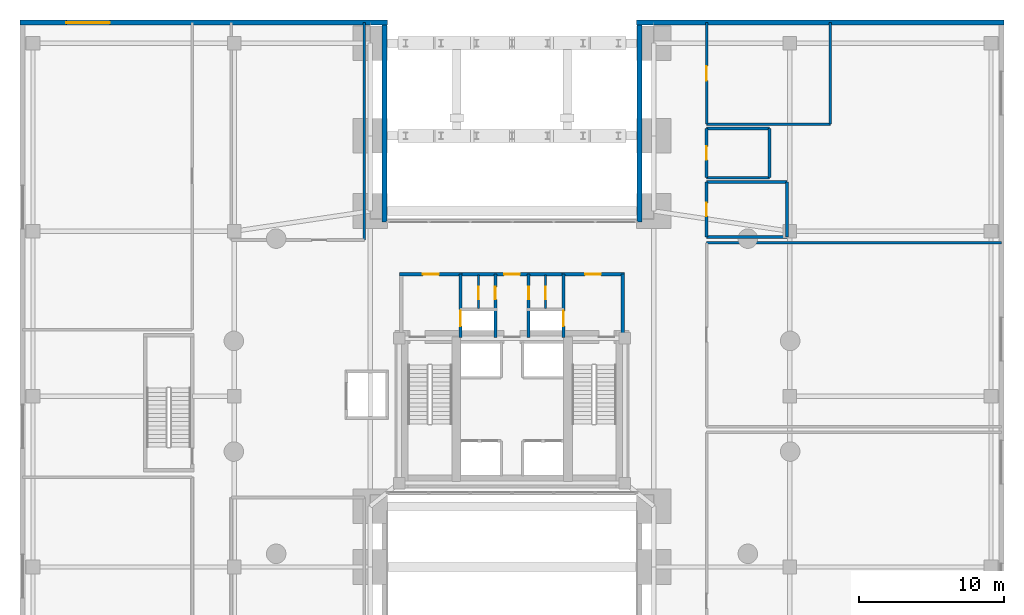
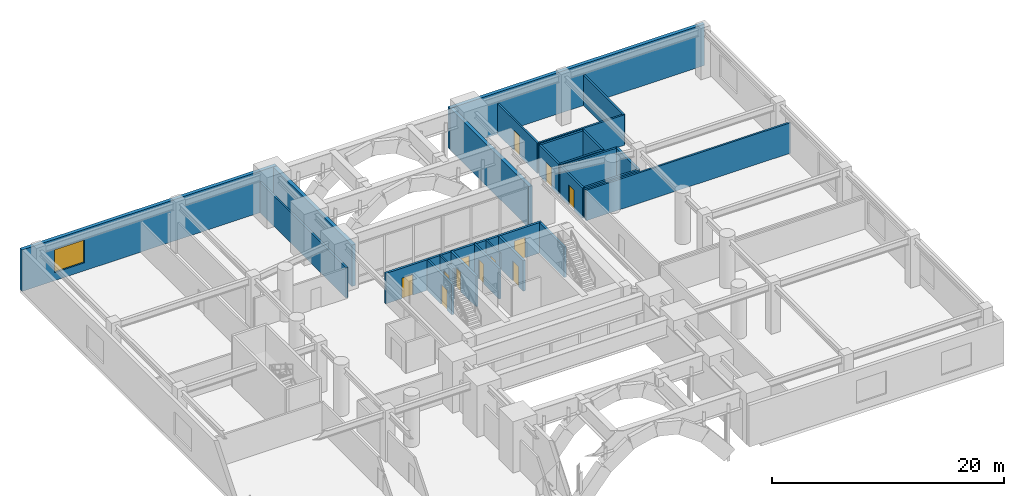
# One storey, part 15 of 18: 27 walls, 12 doors, 1 window, 13 openings.
"""IFC4 building model written with IfcOpenShell, lengths in metres."""

from ifc_helpers import new_model, si_unit, direction, frame, frame_2d, origin, place, context, subcontext, project, spatial, rectangle, extrude, material, layer, layer_set, type_object, element, fill, save


model = new_model("IFC4")

# Units and contexts
model_context = context("Model", 3, precision=1e-05, world=origin(), true_north=direction((0.0, 1.0)))
body_context = subcontext(model_context, "Body", "Model", "MODEL_VIEW")
ifc_project = project(units=[si_unit("LENGTHUNIT", "METRE"), si_unit("AREAUNIT", "SQUARE_METRE"), si_unit("VOLUMEUNIT", "CUBIC_METRE"), si_unit("PLANEANGLEUNIT", "RADIAN"), si_unit("MASSUNIT", "GRAM", prefix="KILO"), si_unit("THERMODYNAMICTEMPERATUREUNIT", "KELVIN"), si_unit("POWERUNIT", "WATT")], contexts=[model_context])

# Site, building, storey
site_placement = place(None, origin())
site = spatial("IfcSite", under=ifc_project, at=site_placement, CompositionType="ELEMENT")
building_placement = place(site_placement, origin())
building = spatial("IfcBuilding", under=site, at=building_placement, Name="Ocrelia Relay Tower", CompositionType="ELEMENT")
storey_placement = place(building_placement, frame((0.0, 0.0, 10.199951171875)))
storey = spatial("IfcBuildingStorey", under=building, at=storey_placement, Name="L02", CompositionType="ELEMENT", Elevation=10.199951171875)

# Walls
ifc_material_1 = material(Name="Gypsum Fireboard Partition EI60", Category="gypsum")
ifc_layer_1 = layer(ifc_material_1, 0.179931640625, Name="Gypsum Fireboard Partition EI60")
ifc_layer_set_1 = layer_set([ifc_layer_1], Name="Gypsum Fireboard Partition EI60")
wall_type_1 = type_object("IfcWallType", Name="W-CORR-EI60-180", PredefinedType="PARTITIONING", material=ifc_layer_set_1)
wall_1_placement = place(storey_placement, frame((23.800048828125, 36.800048828125, 0.0), z_axis=(0.0, 0.0, 1.0), x_axis=(0.0, 1.0, 0.0)))
element("IfcWall", 1, at=wall_1_placement, inside=storey, type_object=wall_type_1, Name="L02 North Telemetry Office E Partition", PredefinedType="PARTITIONING", context=body_context, shape_type="SweptSolid", body=[
    extrude(rectangle(XDim=15.02001953125, YDim=0.179931640625, at=frame_2d((7.510009765625, 0.0))), origin(), (0.0, 0.0, 1.0), 3.2099609375),
])
wall_2_placement = place(storey_placement, frame((67.820068359375, 36.60009765625, 0.0), z_axis=(0.0, 0.0, 1.0), x_axis=(-1.0, 0.0, 0.0)))
element("IfcWall", 2, at=wall_2_placement, inside=storey, type_object=wall_type_1, Name="L02 Executive Briefing Room N Partition", PredefinedType="PARTITIONING", context=body_context, shape_type="SweptSolid", body=[
    extrude(rectangle(XDim=20.3701171875, YDim=0.179931640625, at=frame_2d((10.18505859375, 0.0))), origin(), (0.0, 0.0, 1.0), 3.2099609375),
])

# Wall, opening, door
wall_3_placement = place(storey_placement, frame((47.449951171875, 51.820068359375, 0.0), z_axis=(0.0, 0.0, 1.0), x_axis=(0.0, -1.0, 0.0)))
wall_3 = element("IfcWall", 3, at=wall_3_placement, inside=storey, type_object=wall_type_1, Name="L02 Shift Staff Lounge W Partition", PredefinedType="PARTITIONING", context=body_context, shape_type="SweptSolid", body=[
    extrude(rectangle(XDim=7.02001953125, YDim=0.179931640625, at=frame_2d((3.510009765625, 0.0))), origin(), (0.0, 0.0, 1.0), 3.2099609375),
])
opening_1_placement = place(wall_3_placement, frame((3.010009765625, 0.0, 0.0)))
opening_1 = element("IfcOpeningElement", 4, at=opening_1_placement, cuts=wall_3, Name="Opening D-RM100", PredefinedType="OPENING", context=body_context, shape_type="SweptSolid", body=[
    extrude(rectangle(XDim=1.0, YDim=2.14990234375, at=frame_2d((0.5, 1.074951171875))), frame((0.0, 0.10009765625, 0.0), z_axis=(0.0, -1.0, 0.0), x_axis=(1.0, 0.0, 0.0)), (0.0, 0.0, 1.0), 0.199951171875),
])
ifc_material_2 = material(Name="Acoustic oak veneer fire door", Category="wood")
door_type_1 = type_object("IfcDoorType", Name="DR-ROOM-FD60-1000", OperationType="NOTDEFINED", PredefinedType="DOOR", material=ifc_material_2)
door_1_placement = place(opening_1_placement, origin())
door_1 = element("IfcDoor", 5, at=door_1_placement, inside=storey, type_object=door_type_1, Name="L02 Shift Staff Lounge Door", OperationType="SINGLE_SWING_LEFT", OverallHeight=2.14990234375, OverallWidth=1.0, PredefinedType="DOOR", context=body_context, shape_type="SweptSolid", body=[
    extrude(rectangle(XDim=1.0, YDim=2.14990234375, at=frame_2d((0.5, 1.074951171875))), frame((0.0, 0.02490234375, 0.0), z_axis=(0.0, -1.0, 0.0), x_axis=(1.0, 0.0, 0.0)), (0.0, 0.0, 1.0), 0.050048828125),
])
fill(opening_1, door_1)

# Walls
wall_4_placement = place(storey_placement, frame((47.449951171875, 44.800048828125, 0.0), z_axis=(0.0, 0.0, 1.0), x_axis=(1.0, 0.0, 0.0)))
element("IfcWall", 6, at=wall_4_placement, inside=storey, type_object=wall_type_1, Name="L02 Shift Staff Lounge S Partition", PredefinedType="PARTITIONING", context=body_context, shape_type="SweptSolid", body=[
    extrude(rectangle(XDim=8.550048828125, YDim=0.179931640625, at=frame_2d((4.27490234375, 0.0))), origin(), (0.0, 0.0, 1.0), 3.2099609375),
])
wall_5_placement = place(storey_placement, frame((56.0, 44.800048828125, 0.0), z_axis=(0.0, 0.0, 1.0), x_axis=(0.0, 1.0, 0.0)))
element("IfcWall", 7, at=wall_5_placement, inside=storey, type_object=wall_type_1, Name="L02 Shift Staff Lounge E Partition", PredefinedType="PARTITIONING", context=body_context, shape_type="SweptSolid", body=[
    extrude(rectangle(XDim=7.02001953125, YDim=0.179931640625, at=frame_2d((3.510009765625, 0.0))), origin(), (0.0, 0.0, 1.0), 3.2099609375),
])

# Wall, opening, window
ifc_material_3 = material(Name="Precast concrete C40/50 with oxide terracotta", Category="masonry")
ifc_layer_2 = layer(ifc_material_3, 0.35009765625, Name="Precast concrete C40/50 with oxide terracotta")
ifc_layer_set_2 = layer_set([ifc_layer_2], Name="Precast concrete C40/50 with oxide terracotta")
wall_type_2 = type_object("IfcWallType", Name="W-EXT-POD-350", PredefinedType="SOLIDWALL", material=ifc_layer_set_2)
wall_6_placement = place(storey_placement, frame((0.010009765625, 51.820068359375, 0.0), z_axis=(0.0, 0.0, 1.0), x_axis=(1.0, 0.0, 0.0)))
wall_6 = element("IfcWall", 8, at=wall_6_placement, inside=storey, type_object=wall_type_2, Name="L02 Oxide Terracotta Podium Wall WN", PredefinedType="SOLIDWALL", context=body_context, shape_type="SweptSolid", body=[
    extrude(rectangle(XDim=25.369873046875, YDim=0.35009765625, at=frame_2d((12.68505859375, 0.0))), origin(), (0.0, 0.0, 1.0), 4.360107421875),
])
opening_2_placement = place(wall_6_placement, frame((3.199951171875, 0.0, 0.85009765625)))
opening_2 = element("IfcOpeningElement", 9, at=opening_2_placement, cuts=wall_6, Name="Opening W-05", PredefinedType="OPENING", context=body_context, shape_type="SweptSolid", body=[
    extrude(rectangle(XDim=3.0, YDim=2.39990234375, at=frame_2d((1.5, 1.199951171875))), frame((0.0, 0.18505859375, 0.0), z_axis=(0.0, -1.0, 0.0), x_axis=(1.0, 0.0, 0.0)), (0.0, 0.0, 1.0), 0.3701171875),
])
ifc_material_4 = material(Name="Clear double-glazed low-E glass", Category="glass")
window_type = type_object("IfcWindowType", Name="WIN-POD-3000x2600", PartitioningType="DOUBLE_PANEL_VERTICAL", PredefinedType="WINDOW", material=ifc_material_4)
window_placement = place(opening_2_placement, origin())
window = element("IfcWindow", 10, at=window_placement, inside=storey, type_object=window_type, Name="L02 Podium Punched Window WN-1", OverallHeight=2.39990234375, OverallWidth=3.0, PartitioningType="SINGLE_PANEL", PredefinedType="WINDOW", context=body_context, shape_type="SweptSolid", body=[
    extrude(rectangle(XDim=3.0, YDim=2.39990234375, at=frame_2d((1.5, 1.199951171875))), frame((0.0, 0.030029296875, 0.0), z_axis=(0.0, -1.0, 0.0), x_axis=(1.0, 0.0, 0.0)), (0.0, 0.0, 1.0), 0.06005859375),
])
fill(opening_2, window)

# Walls
wall_7_placement = place(storey_placement, frame((42.6201171875, 51.820068359375, 0.0), z_axis=(0.0, 0.0, 1.0), x_axis=(1.0, 0.0, 0.0)))
element("IfcWall", 11, at=wall_7_placement, inside=storey, type_object=wall_type_2, Name="L02 Oxide Terracotta Podium Wall EN", PredefinedType="SOLIDWALL", context=body_context, shape_type="SweptSolid", body=[
    extrude(rectangle(XDim=25.369873046875, YDim=0.35009765625, at=frame_2d((12.68505859375, 0.0))), origin(), (0.0, 0.0, 1.0), 4.360107421875),
])
for number, where, z_axis, x_axis, name in (
    (12, (25.199951171875, 51.639892578125, 0.0), (0.0, 0.0, 1.0), (0.0, -1.0, 0.0), "L02 Oxide Terracotta Podium Wall AWN"),
    (13, (42.800048828125, 38.050048828125, 0.0), (0.0, 0.0, 1.0), (0.0, 1.0, 0.0), "L02 Oxide Terracotta Podium Wall AEN"),
):
    element("IfcWall", number, at=place(storey_placement, frame(where, z_axis=z_axis, x_axis=x_axis)), inside=storey, type_object=wall_type_2, Name=name, PredefinedType="SOLIDWALL", context=body_context, shape_type="SweptSolid", body=[
        extrude(rectangle(XDim=13.58984375, YDim=0.35009765625, at=frame_2d((6.794921875, 0.0))), origin(), (0.0, 0.0, 1.0), 4.360107421875),
    ])

# Wall, opening, door
ifc_material_5 = material(Name="Concrete C50/60", Category="concrete")
ifc_layer_3 = layer(ifc_material_5, 0.219970703125, Name="Concrete C50/60")
ifc_layer_set_3 = layer_set([ifc_layer_3], Name="Concrete C50/60")
wall_type_3 = type_object("IfcWallType", Name="W-FFL-EI120-220", PredefinedType="SOLIDWALL", material=ifc_layer_set_3)
wall_8_placement = place(storey_placement, frame((30.43994140625, 30.050048828125, 0.0), z_axis=(0.0, 0.0, 1.0), x_axis=(0.0, 1.0, 0.0)))
wall_8 = element("IfcWall", 14, at=wall_8_placement, inside=storey, type_object=wall_type_3, Name="L02 W Fire Service Lift Lobby East Wall", PredefinedType="SOLIDWALL", context=body_context, shape_type="SweptSolid", body=[
    extrude(rectangle(XDim=4.3798828125, YDim=0.219970703125, at=frame_2d((2.18994140625, 0.0))), origin(), (0.0, 0.0, 1.0), 3.2099609375),
])
opening_3_placement = place(wall_8_placement, frame((0.800048828125, 0.0, 0.0)))
opening_3 = element("IfcOpeningElement", 15, at=opening_3_placement, cuts=wall_8, Name="Opening LD-FFL1", PredefinedType="OPENING", context=body_context, shape_type="SweptSolid", body=[
    extrude(rectangle(XDim=1.050048828125, YDim=2.10009765625, at=frame_2d((0.52490234375, 1.050048828125))), frame((0.0, 0.1201171875, 0.0), z_axis=(0.0, -1.0, 0.0), x_axis=(1.0, 0.0, 0.0)), (0.0, 0.0, 1.0), 0.239990234375),
])
ifc_material_6 = material(Name="Brushed stainless steel S355 lift landing door", Category="steel")
door_type_2 = type_object("IfcDoorType", Name="DR-LIFT-LAND-1050", OperationType="DOUBLE_DOOR_SLIDING", PredefinedType="USERDEFINED", material=ifc_material_6)
door_2_placement = place(opening_3_placement, origin())
door_2 = element("IfcDoor", 16, at=door_2_placement, inside=storey, type_object=door_type_2, Name="L02 Firefighting Lift FFL1 Sliding Landing Door", ObjectType="LANDING DOOR", OperationType="DOUBLE_DOOR_SLIDING", OverallHeight=2.10009765625, OverallWidth=1.050048828125, PredefinedType="USERDEFINED", context=body_context, shape_type="SweptSolid", body=[
    extrude(rectangle(XDim=1.050048828125, YDim=2.10009765625, at=frame_2d((0.52490234375, 1.050048828125))), frame((0.0, 0.02490234375, 0.0), z_axis=(0.0, -1.0, 0.0), x_axis=(1.0, 0.0, 0.0)), (0.0, 0.0, 1.0), 0.050048828125),
])
fill(opening_3, door_2)

wall_9_placement = place(storey_placement, frame((26.239990234375, 34.429931640625, 0.0), z_axis=(0.0, 0.0, 1.0), x_axis=(1.0, 0.0, 0.0)))
wall_9 = element("IfcWall", 17, at=wall_9_placement, inside=storey, type_object=wall_type_3, Name="L02 W Fire Service Lift Lobby North Wall", PredefinedType="SOLIDWALL", context=body_context, shape_type="SweptSolid", body=[
    extrude(rectangle(XDim=4.31005859375, YDim=0.219970703125, at=frame_2d((2.155029296875, 0.0))), origin(), (0.0, 0.0, 1.0), 3.2099609375),
])
opening_4_placement = place(wall_9_placement, frame((1.60009765625, 0.0, 0.0)))
opening_4 = element("IfcOpeningElement", 18, at=opening_4_placement, cuts=wall_9, Name="Opening D-FD60", PredefinedType="OPENING", context=body_context, shape_type="SweptSolid", body=[
    extrude(rectangle(XDim=1.10009765625, YDim=2.14990234375, at=frame_2d((0.550048828125, 1.074951171875))), frame((0.0, 0.1201171875, 0.0), z_axis=(0.0, -1.0, 0.0), x_axis=(1.0, 0.0, 0.0)), (0.0, 0.0, 1.0), 0.239990234375),
])
ifc_material_7 = material(Name="Timber-core 60-min acoustic fire door", Category="wood")
door_type_3 = type_object("IfcDoorType", Name="DR-LOBBY-FD60-1100", OperationType="NOTDEFINED", PredefinedType="DOOR", material=ifc_material_7)
door_3_placement = place(opening_4_placement, origin())
door_3 = element("IfcDoor", 19, at=door_3_placement, inside=storey, type_object=door_type_3, Name="L02 W Fire Service Lift Lobby Exit Door", OperationType="SINGLE_SWING_LEFT", OverallHeight=2.14990234375, OverallWidth=1.10009765625, PredefinedType="DOOR", context=body_context, shape_type="SweptSolid", body=[
    extrude(rectangle(XDim=1.10009765625, YDim=2.14990234375, at=frame_2d((0.550048828125, 1.074951171875))), frame((0.0, 0.02490234375, 0.0), z_axis=(0.0, -1.0, 0.0), x_axis=(1.0, 0.0, 0.0)), (0.0, 0.0, 1.0), 0.050048828125),
])
fill(opening_4, door_3)

wall_10_placement = place(storey_placement, frame((37.56005859375, 30.050048828125, 0.0), z_axis=(0.0, 0.0, 1.0), x_axis=(0.0, 1.0, 0.0)))
wall_10 = element("IfcWall", 20, at=wall_10_placement, inside=storey, type_object=wall_type_3, Name="L02 E Fire Service Lift Lobby West Wall", PredefinedType="SOLIDWALL", context=body_context, shape_type="SweptSolid", body=[
    extrude(rectangle(XDim=4.3798828125, YDim=0.219970703125, at=frame_2d((2.18994140625, 0.0))), origin(), (0.0, 0.0, 1.0), 3.2099609375),
])
opening_5_placement = place(wall_10_placement, frame((0.800048828125, 0.0, 0.0)))
opening_5 = element("IfcOpeningElement", 21, at=opening_5_placement, cuts=wall_10, Name="Opening LD-FFL2", PredefinedType="OPENING", context=body_context, shape_type="SweptSolid", body=[
    extrude(rectangle(XDim=1.050048828125, YDim=2.10009765625, at=frame_2d((0.52490234375, 1.050048828125))), frame((0.0, 0.1201171875, 0.0), z_axis=(0.0, -1.0, 0.0), x_axis=(1.0, 0.0, 0.0)), (0.0, 0.0, 1.0), 0.239990234375),
])
door_4_placement = place(opening_5_placement, origin())
door_4 = element("IfcDoor", 22, at=door_4_placement, inside=storey, type_object=door_type_2, Name="L02 Firefighting Lift FFL2 Sliding Landing Door", ObjectType="LANDING DOOR", OperationType="DOUBLE_DOOR_SLIDING", OverallHeight=2.10009765625, OverallWidth=1.050048828125, PredefinedType="USERDEFINED", context=body_context, shape_type="SweptSolid", body=[
    extrude(rectangle(XDim=1.050048828125, YDim=2.10009765625, at=frame_2d((0.52490234375, 1.050048828125))), frame((0.0, 0.02490234375, 0.0), z_axis=(0.0, -1.0, 0.0), x_axis=(1.0, 0.0, 0.0)), (0.0, 0.0, 1.0), 0.050048828125),
])
fill(opening_5, door_4)

# Wall
wall_11_placement = place(storey_placement, frame((41.64990234375, 30.050048828125, 0.0), z_axis=(0.0, 0.0, 1.0), x_axis=(0.0, 1.0, 0.0)))
element("IfcWall", 23, at=wall_11_placement, inside=storey, type_object=wall_type_3, Name="L02 E Fire Service Lift Lobby East Wall", PredefinedType="SOLIDWALL", context=body_context, shape_type="SweptSolid", body=[
    extrude(rectangle(XDim=4.3798828125, YDim=0.219970703125, at=frame_2d((2.18994140625, 0.0))), origin(), (0.0, 0.0, 1.0), 3.2099609375),
])

# Wall, opening, door
wall_12_placement = place(storey_placement, frame((37.449951171875, 34.429931640625, 0.0), z_axis=(0.0, 0.0, 1.0), x_axis=(1.0, 0.0, 0.0)))
wall_12 = element("IfcWall", 24, at=wall_12_placement, inside=storey, type_object=wall_type_3, Name="L02 E Fire Service Lift Lobby North Wall", PredefinedType="SOLIDWALL", context=body_context, shape_type="SweptSolid", body=[
    extrude(rectangle(XDim=4.31005859375, YDim=0.219970703125, at=frame_2d((2.155029296875, 0.0))), origin(), (0.0, 0.0, 1.0), 3.2099609375),
])
opening_6_placement = place(wall_12_placement, frame((1.60009765625, 0.0, 0.0)))
opening_6 = element("IfcOpeningElement", 25, at=opening_6_placement, cuts=wall_12, Name="Opening D-FD60", PredefinedType="OPENING", context=body_context, shape_type="SweptSolid", body=[
    extrude(rectangle(XDim=1.10009765625, YDim=2.14990234375, at=frame_2d((0.550048828125, 1.074951171875))), frame((0.0, 0.1201171875, 0.0), z_axis=(0.0, -1.0, 0.0), x_axis=(1.0, 0.0, 0.0)), (0.0, 0.0, 1.0), 0.239990234375),
])
door_5_placement = place(opening_6_placement, origin())
door_5 = element("IfcDoor", 26, at=door_5_placement, inside=storey, type_object=door_type_3, Name="L02 E Fire Service Lift Lobby Exit Door", OperationType="SINGLE_SWING_LEFT", OverallHeight=2.14990234375, OverallWidth=1.10009765625, PredefinedType="DOOR", context=body_context, shape_type="SweptSolid", body=[
    extrude(rectangle(XDim=1.10009765625, YDim=2.14990234375, at=frame_2d((0.550048828125, 1.074951171875))), frame((0.0, 0.02490234375, 0.0), z_axis=(0.0, -1.0, 0.0), x_axis=(1.0, 0.0, 0.0)), (0.0, 0.0, 1.0), 0.050048828125),
])
fill(opening_6, door_5)

wall_13_placement = place(storey_placement, frame((30.43994140625, 34.429931640625, 0.0), z_axis=(0.0, 0.0, 1.0), x_axis=(1.0, 0.0, 0.0)))
wall_13 = element("IfcWall", 27, at=wall_13_placement, inside=storey, type_object=wall_type_3, Name="L02 North Core Vestibule Wall", PredefinedType="SOLIDWALL", context=body_context, shape_type="SweptSolid", body=[
    extrude(rectangle(XDim=7.1201171875, YDim=0.219970703125, at=frame_2d((3.56005859375, 0.0))), origin(), (0.0, 0.0, 1.0), 3.2099609375),
])
opening_7_placement = place(wall_13_placement, frame((3.010009765625, 0.0, 0.0)))
opening_7 = element("IfcOpeningElement", 28, at=opening_7_placement, cuts=wall_13, Name="Opening D-FD60", PredefinedType="OPENING", context=body_context, shape_type="SweptSolid", body=[
    extrude(rectangle(XDim=1.10009765625, YDim=2.14990234375, at=frame_2d((0.550048828125, 1.074951171875))), frame((0.0, 0.1201171875, 0.0), z_axis=(0.0, -1.0, 0.0), x_axis=(1.0, 0.0, 0.0)), (0.0, 0.0, 1.0), 0.239990234375),
])
door_6_placement = place(opening_7_placement, origin())
door_6 = element("IfcDoor", 29, at=door_6_placement, inside=storey, type_object=door_type_3, Name="L02 North Core Vestibule Corridor Door", OperationType="SINGLE_SWING_LEFT", OverallHeight=2.14990234375, OverallWidth=1.10009765625, PredefinedType="DOOR", context=body_context, shape_type="SweptSolid", body=[
    extrude(rectangle(XDim=1.10009765625, YDim=2.14990234375, at=frame_2d((0.550048828125, 1.074951171875))), frame((0.0, 0.02490234375, 0.0), z_axis=(0.0, -1.0, 0.0), x_axis=(1.0, 0.0, 0.0)), (0.0, 0.0, 1.0), 0.050048828125),
])
fill(opening_7, door_6)

ifc_material_8 = material(Name="Acoustic Fireboard Partition EI60", Category="gypsum")
ifc_layer_4 = layer(ifc_material_8, 0.14990234375, Name="Acoustic Fireboard Partition EI60")
ifc_layer_set_4 = layer_set([ifc_layer_4], Name="Acoustic Fireboard Partition EI60")
wall_type_4 = type_object("IfcWallType", Name="W-PART-150", PredefinedType="PARTITIONING", material=ifc_layer_set_4)
wall_14_placement = place(storey_placement, frame((31.68994140625, 32.050048828125, 0.0), z_axis=(0.0, 0.0, 1.0), x_axis=(0.0, 1.0, 0.0)))
wall_14 = element("IfcWall", 30, at=wall_14_placement, inside=storey, type_object=wall_type_4, Name="L02 West Core Support Partition", PredefinedType="PARTITIONING", context=body_context, shape_type="SweptSolid", body=[
    extrude(rectangle(XDim=2.329833984375, YDim=0.14990234375, at=frame_2d((1.1650390625, 0.0))), origin(), (0.0, 0.0, 1.0), 3.2099609375),
])
opening_8_placement = place(wall_14_placement, frame((0.64990234375, 0.0, 0.0)))
opening_8 = element("IfcOpeningElement", 31, at=opening_8_placement, cuts=wall_14, Name="Opening D-RS86", PredefinedType="OPENING", context=body_context, shape_type="SweptSolid", body=[
    extrude(rectangle(XDim=0.860107421875, YDim=2.050048828125, at=frame_2d((0.43017578125, 1.02490234375))), frame((0.0, 0.0849609375, 0.0), z_axis=(0.0, -1.0, 0.0), x_axis=(1.0, 0.0, 0.0)), (0.0, 0.0, 1.0), 0.169921875),
])
ifc_material_9 = material(Name="Steel S355 riser access fire door", Category="steel")
door_type_4 = type_object("IfcDoorType", Name="DR-RISER-TRAP-860", OperationType="NOTDEFINED", PredefinedType="TRAPDOOR", material=ifc_material_9)
door_7_placement = place(opening_8_placement, origin())
door_7 = element("IfcDoor", 32, at=door_7_placement, inside=storey, type_object=door_type_4, Name="L02 West Core Store Connecting Door", OperationType="SINGLE_SWING_RIGHT", OverallHeight=2.050048828125, OverallWidth=0.860107421875, PredefinedType="TRAPDOOR", context=body_context, shape_type="SweptSolid", body=[
    extrude(rectangle(XDim=0.860107421875, YDim=2.050048828125, at=frame_2d((0.43017578125, 1.02490234375))), frame((0.0, 0.02490234375, 0.0), z_axis=(0.0, -1.0, 0.0), x_axis=(1.0, 0.0, 0.0)), (0.0, 0.0, 1.0), 0.050048828125),
])
fill(opening_8, door_7)

wall_15_placement = place(storey_placement, frame((36.31005859375, 32.050048828125, 0.0), z_axis=(0.0, 0.0, 1.0), x_axis=(0.0, 1.0, 0.0)))
wall_15 = element("IfcWall", 33, at=wall_15_placement, inside=storey, type_object=wall_type_4, Name="L02 East Core Support Partition", PredefinedType="PARTITIONING", context=body_context, shape_type="SweptSolid", body=[
    extrude(rectangle(XDim=2.329833984375, YDim=0.14990234375, at=frame_2d((1.1650390625, 0.0))), origin(), (0.0, 0.0, 1.0), 3.2099609375),
])
opening_9_placement = place(wall_15_placement, frame((0.64990234375, 0.0, 0.0)))
opening_9 = element("IfcOpeningElement", 34, at=opening_9_placement, cuts=wall_15, Name="Opening D-RS86", PredefinedType="OPENING", context=body_context, shape_type="SweptSolid", body=[
    extrude(rectangle(XDim=0.860107421875, YDim=2.050048828125, at=frame_2d((0.43017578125, 1.02490234375))), frame((0.0, 0.0849609375, 0.0), z_axis=(0.0, -1.0, 0.0), x_axis=(1.0, 0.0, 0.0)), (0.0, 0.0, 1.0), 0.169921875),
])
door_8_placement = place(opening_9_placement, origin())
door_8 = element("IfcDoor", 35, at=door_8_placement, inside=storey, type_object=door_type_4, Name="L02 East Core Store Connecting Door", OperationType="SINGLE_SWING_LEFT", OverallHeight=2.050048828125, OverallWidth=0.860107421875, PredefinedType="TRAPDOOR", context=body_context, shape_type="SweptSolid", body=[
    extrude(rectangle(XDim=0.860107421875, YDim=2.050048828125, at=frame_2d((0.43017578125, 1.02490234375))), frame((0.0, 0.02490234375, 0.0), z_axis=(0.0, -1.0, 0.0), x_axis=(1.0, 0.0, 0.0)), (0.0, 0.0, 1.0), 0.050048828125),
])
fill(opening_9, door_8)

ifc_material_10 = material(Name="Moisture-Resistant Fireboard Chase Wall EI60", Category="gypsum")
ifc_layer_5 = layer(ifc_material_10, 0.199951171875, Name="Moisture-Resistant Fireboard Chase Wall EI60")
ifc_layer_set_5 = layer_set([ifc_layer_5], Name="Moisture-Resistant Fireboard Chase Wall EI60")
wall_type_5 = type_object("IfcWallType", Name="W-PLUMB-200", PredefinedType="PLUMBINGWALL", material=ifc_layer_set_5)
wall_16_placement = place(storey_placement, frame((47.449951171875, 40.800048828125, 0.0), z_axis=(0.0, 0.0, 1.0), x_axis=(0.0, -1.0, 0.0)))
wall_16 = element("IfcWall", 36, at=wall_16_placement, inside=storey, type_object=wall_type_5, Name="L02 Staff Toilet W Partition", PredefinedType="PLUMBINGWALL", context=body_context, shape_type="SweptSolid", body=[
    extrude(rectangle(XDim=3.800048828125, YDim=0.199951171875, at=frame_2d((1.89990234375, 0.0))), origin(), (0.0, 0.0, 1.0), 3.2099609375),
])
opening_10_placement = place(wall_16_placement, frame((1.43994140625, 0.0, 0.0)))
opening_10 = element("IfcOpeningElement", 37, at=opening_10_placement, cuts=wall_16, Name="Opening D-WC92", PredefinedType="OPENING", context=body_context, shape_type="SweptSolid", body=[
    extrude(rectangle(XDim=0.919921875, YDim=2.10009765625, at=frame_2d((0.4599609375, 1.050048828125))), frame((0.0, 0.10986328125, 0.0), z_axis=(0.0, -1.0, 0.0), x_axis=(1.0, 0.0, 0.0)), (0.0, 0.0, 1.0), 0.219970703125),
])
ifc_material_11 = material(Name="Laminate washroom door", Category="wood")
door_type_5 = type_object("IfcDoorType", Name="DR-WC-920", OperationType="NOTDEFINED", PredefinedType="DOOR", material=ifc_material_11)
door_9_placement = place(opening_10_placement, origin())
door_9 = element("IfcDoor", 38, at=door_9_placement, inside=storey, type_object=door_type_5, Name="L02 Staff Toilet Door", OperationType="SINGLE_SWING_LEFT", OverallHeight=2.10009765625, OverallWidth=0.919921875, PredefinedType="DOOR", context=body_context, shape_type="SweptSolid", body=[
    extrude(rectangle(XDim=0.919921875, YDim=2.10009765625, at=frame_2d((0.4599609375, 1.050048828125))), frame((0.0, 0.02490234375, 0.0), z_axis=(0.0, -1.0, 0.0), x_axis=(1.0, 0.0, 0.0)), (0.0, 0.0, 1.0), 0.050048828125),
])
fill(opening_10, door_9)

# Walls
wall_17_placement = place(storey_placement, frame((47.449951171875, 37.0, 0.0), z_axis=(0.0, 0.0, 1.0), x_axis=(1.0, 0.0, 0.0)))
element("IfcWall", 39, at=wall_17_placement, inside=storey, type_object=wall_type_5, Name="L02 Staff Toilet S Partition", PredefinedType="PLUMBINGWALL", context=body_context, shape_type="SweptSolid", body=[
    extrude(rectangle(XDim=5.550048828125, YDim=0.199951171875, at=frame_2d((2.77490234375, 0.0))), origin(), (0.0, 0.0, 1.0), 3.2099609375),
])
wall_18_placement = place(storey_placement, frame((53.0, 37.0, 0.0), z_axis=(0.0, 0.0, 1.0), x_axis=(0.0, 1.0, 0.0)))
element("IfcWall", 40, at=wall_18_placement, inside=storey, type_object=wall_type_5, Name="L02 Staff Toilet E Partition", PredefinedType="PLUMBINGWALL", context=body_context, shape_type="SweptSolid", body=[
    extrude(rectangle(XDim=3.800048828125, YDim=0.199951171875, at=frame_2d((1.89990234375, 0.0))), origin(), (0.0, 0.0, 1.0), 3.2099609375),
])
wall_19_placement = place(storey_placement, frame((53.0, 40.800048828125, 0.0), z_axis=(0.0, 0.0, 1.0), x_axis=(-1.0, 0.0, 0.0)))
element("IfcWall", 41, at=wall_19_placement, inside=storey, type_object=wall_type_5, Name="L02 Staff Toilet N Partition", PredefinedType="PLUMBINGWALL", context=body_context, shape_type="SweptSolid", body=[
    extrude(rectangle(XDim=5.550048828125, YDim=0.199951171875, at=frame_2d((2.77490234375, 0.0))), origin(), (0.0, 0.0, 1.0), 3.2099609375),
])

# Wall, opening, door
wall_20_placement = place(storey_placement, frame((47.449951171875, 44.5, 0.0), z_axis=(0.0, 0.0, 1.0), x_axis=(0.0, -1.0, 0.0)))
wall_20 = element("IfcWall", 42, at=wall_20_placement, inside=storey, type_object=wall_type_5, Name="L02 Accessible Toilet W Partition", PredefinedType="PLUMBINGWALL", context=body_context, shape_type="SweptSolid", body=[
    extrude(rectangle(XDim=3.39990234375, YDim=0.199951171875, at=frame_2d((1.699951171875, 0.0))), origin(), (0.0, 0.0, 1.0), 3.2099609375),
])
opening_11_placement = place(wall_20_placement, frame((1.239990234375, 0.0, 0.0)))
opening_11 = element("IfcOpeningElement", 43, at=opening_11_placement, cuts=wall_20, Name="Opening D-WC92", PredefinedType="OPENING", context=body_context, shape_type="SweptSolid", body=[
    extrude(rectangle(XDim=0.919921875, YDim=2.10009765625, at=frame_2d((0.4599609375, 1.050048828125))), frame((0.0, 0.10986328125, 0.0), z_axis=(0.0, -1.0, 0.0), x_axis=(1.0, 0.0, 0.0)), (0.0, 0.0, 1.0), 0.219970703125),
])
door_10_placement = place(opening_11_placement, origin())
door_10 = element("IfcDoor", 44, at=door_10_placement, inside=storey, type_object=door_type_5, Name="L02 Accessible Toilet Door", OperationType="SINGLE_SWING_RIGHT", OverallHeight=2.10009765625, OverallWidth=0.919921875, PredefinedType="DOOR", context=body_context, shape_type="SweptSolid", body=[
    extrude(rectangle(XDim=0.919921875, YDim=2.10009765625, at=frame_2d((0.4599609375, 1.050048828125))), frame((0.0, 0.02490234375, 0.0), z_axis=(0.0, -1.0, 0.0), x_axis=(1.0, 0.0, 0.0)), (0.0, 0.0, 1.0), 0.050048828125),
])
fill(opening_11, door_10)

# Walls
wall_21_placement = place(storey_placement, frame((47.449951171875, 41.10009765625, 0.0), z_axis=(0.0, 0.0, 1.0), x_axis=(1.0, 0.0, 0.0)))
element("IfcWall", 45, at=wall_21_placement, inside=storey, type_object=wall_type_5, Name="L02 Accessible Toilet S Partition", PredefinedType="PLUMBINGWALL", context=body_context, shape_type="SweptSolid", body=[
    extrude(rectangle(XDim=4.35009765625, YDim=0.199951171875, at=frame_2d((2.175048828125, 0.0))), origin(), (0.0, 0.0, 1.0), 3.2099609375),
])
wall_22_placement = place(storey_placement, frame((51.800048828125, 41.10009765625, 0.0), z_axis=(0.0, 0.0, 1.0), x_axis=(0.0, 1.0, 0.0)))
element("IfcWall", 46, at=wall_22_placement, inside=storey, type_object=wall_type_5, Name="L02 Accessible Toilet E Partition", PredefinedType="PLUMBINGWALL", context=body_context, shape_type="SweptSolid", body=[
    extrude(rectangle(XDim=3.39990234375, YDim=0.199951171875, at=frame_2d((1.699951171875, 0.0))), origin(), (0.0, 0.0, 1.0), 3.2099609375),
])
wall_23_placement = place(storey_placement, frame((51.800048828125, 44.5, 0.0), z_axis=(0.0, 0.0, 1.0), x_axis=(-1.0, 0.0, 0.0)))
element("IfcWall", 47, at=wall_23_placement, inside=storey, type_object=wall_type_5, Name="L02 Accessible Toilet N Partition", PredefinedType="PLUMBINGWALL", context=body_context, shape_type="SweptSolid", body=[
    extrude(rectangle(XDim=4.35009765625, YDim=0.199951171875, at=frame_2d((2.175048828125, 0.0))), origin(), (0.0, 0.0, 1.0), 3.2099609375),
])

# Wall, opening, door
ifc_layer_6 = layer(ifc_material_5, 0.199951171875, Name="Concrete C50/60")
ifc_layer_set_6 = layer_set([ifc_layer_6], Name="Concrete C50/60")
wall_type_6 = type_object("IfcWallType", Name="W-SHAFT-EI120-200", PredefinedType="SOLIDWALL", material=ifc_layer_set_6)
wall_24_placement = place(storey_placement, frame((32.85009765625, 30.050048828125, 0.0), z_axis=(0.0, 0.0, 1.0), x_axis=(0.0, 1.0, 0.0)))
wall_24 = element("IfcWall", 48, at=wall_24_placement, inside=storey, type_object=wall_type_6, Name="L02 FFL1 and Service Vestibule Wall", PredefinedType="SOLIDWALL", context=body_context, shape_type="SweptSolid", body=[
    extrude(rectangle(XDim=4.3798828125, YDim=0.199951171875, at=frame_2d((2.18994140625, 0.0))), origin(), (0.0, 0.0, 1.0), 3.2099609375),
])
opening_12_placement = place(wall_24_placement, frame((2.64990234375, 0.0, 0.0)))
opening_12 = element("IfcOpeningElement", 49, at=opening_12_placement, cuts=wall_24, Name="Opening D-RS86", PredefinedType="OPENING", context=body_context, shape_type="SweptSolid", body=[
    extrude(rectangle(XDim=0.860107421875, YDim=2.050048828125, at=frame_2d((0.43017578125, 1.02490234375))), frame((0.0, 0.10986328125, 0.0), z_axis=(0.0, -1.0, 0.0), x_axis=(1.0, 0.0, 0.0)), (0.0, 0.0, 1.0), 0.219970703125),
])
door_11_placement = place(opening_12_placement, origin())
door_11 = element("IfcDoor", 50, at=door_11_placement, inside=storey, type_object=door_type_4, Name="L02 Core Support Room W Door", OperationType="SINGLE_SWING_RIGHT", OverallHeight=2.050048828125, OverallWidth=0.860107421875, PredefinedType="TRAPDOOR", context=body_context, shape_type="SweptSolid", body=[
    extrude(rectangle(XDim=0.860107421875, YDim=2.050048828125, at=frame_2d((0.43017578125, 1.02490234375))), frame((0.0, 0.02490234375, 0.0), z_axis=(0.0, -1.0, 0.0), x_axis=(1.0, 0.0, 0.0)), (0.0, 0.0, 1.0), 0.050048828125),
])
fill(opening_12, door_11)

wall_25_placement = place(storey_placement, frame((35.14990234375, 30.050048828125, 0.0), z_axis=(0.0, 0.0, 1.0), x_axis=(0.0, 1.0, 0.0)))
wall_25 = element("IfcWall", 51, at=wall_25_placement, inside=storey, type_object=wall_type_6, Name="L02 FFL2 and Service Vestibule Wall", PredefinedType="SOLIDWALL", context=body_context, shape_type="SweptSolid", body=[
    extrude(rectangle(XDim=4.3798828125, YDim=0.199951171875, at=frame_2d((2.18994140625, 0.0))), origin(), (0.0, 0.0, 1.0), 3.2099609375),
])
opening_13_placement = place(wall_25_placement, frame((2.64990234375, 0.0, 0.0)))
opening_13 = element("IfcOpeningElement", 52, at=opening_13_placement, cuts=wall_25, Name="Opening D-RS86", PredefinedType="OPENING", context=body_context, shape_type="SweptSolid", body=[
    extrude(rectangle(XDim=0.860107421875, YDim=2.050048828125, at=frame_2d((0.43017578125, 1.02490234375))), frame((0.0, 0.10986328125, 0.0), z_axis=(0.0, -1.0, 0.0), x_axis=(1.0, 0.0, 0.0)), (0.0, 0.0, 1.0), 0.219970703125),
])
door_12_placement = place(opening_13_placement, origin())
door_12 = element("IfcDoor", 53, at=door_12_placement, inside=storey, type_object=door_type_4, Name="L02 Core Support Room E Door", OperationType="SINGLE_SWING_RIGHT", OverallHeight=2.050048828125, OverallWidth=0.860107421875, PredefinedType="TRAPDOOR", context=body_context, shape_type="SweptSolid", body=[
    extrude(rectangle(XDim=0.860107421875, YDim=2.050048828125, at=frame_2d((0.43017578125, 1.02490234375))), frame((0.0, 0.02490234375, 0.0), z_axis=(0.0, -1.0, 0.0), x_axis=(1.0, 0.0, 0.0)), (0.0, 0.0, 1.0), 0.050048828125),
])
fill(opening_13, door_12)

save(model, "model.ifc")
